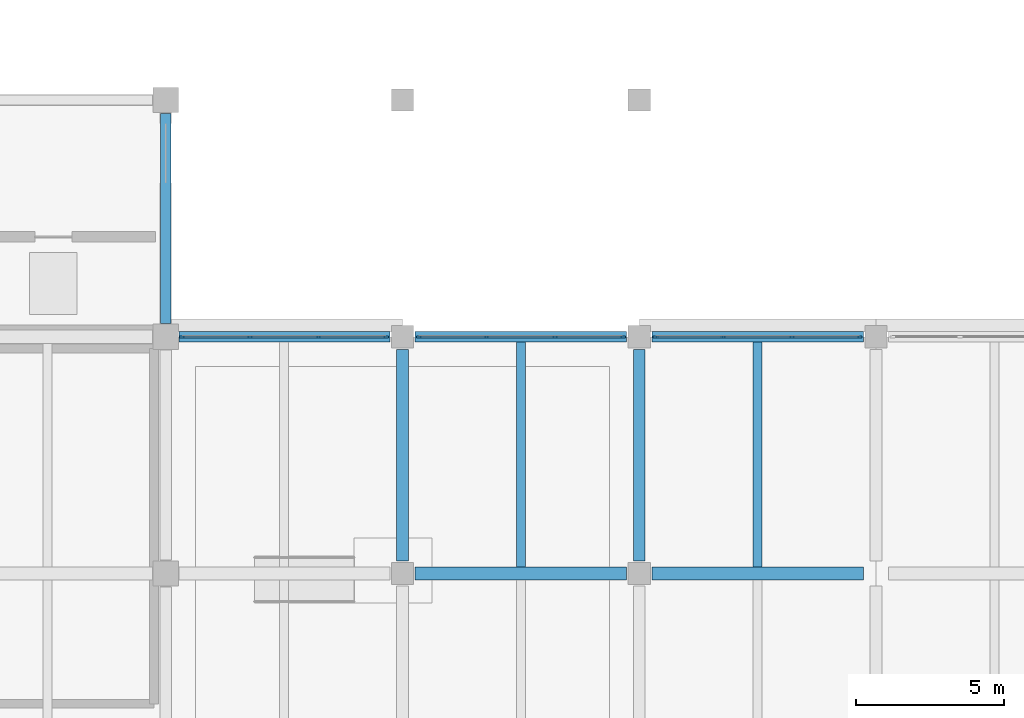
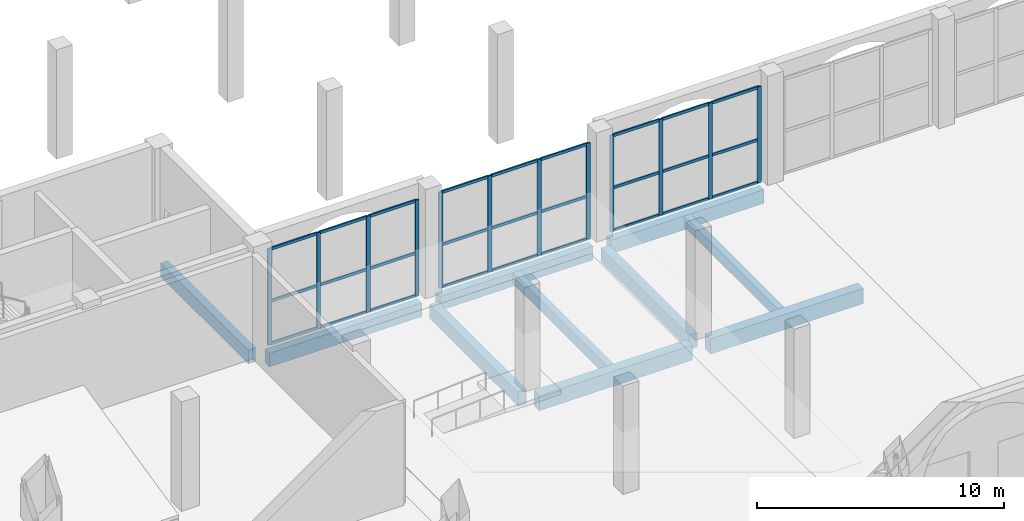
# One storey, part 3 of 40: 39 members, 10 beams, 3 elements without a shape of their own.
"""IFC4 building model written with IfcOpenShell, lengths in metres."""

from ifc_helpers import new_model, si_unit, direction, frame, origin, origin_2d, place, context, subcontext, project, spatial, rectangle, extrude, material, layer, layer_set, material_profile, profile_set, type_object, element, aggregate, save


model = new_model("IFC4")

# Units and contexts
model_context = context("Model", 3, precision=1e-05, world=origin(), true_north=direction((0.0, 1.0)))
body_context = subcontext(model_context, "Body", "Model", "MODEL_VIEW")
ifc_project = project(units=[si_unit("LENGTHUNIT", "METRE"), si_unit("AREAUNIT", "SQUARE_METRE"), si_unit("VOLUMEUNIT", "CUBIC_METRE"), si_unit("PLANEANGLEUNIT", "RADIAN"), si_unit("MASSUNIT", "GRAM", prefix="KILO")], contexts=[model_context])

# Site, building, storey
site_placement = place(None, origin())
site = spatial("IfcSite", under=ifc_project, at=site_placement, CompositionType="ELEMENT")
building_placement = place(site_placement, origin())
building = spatial("IfcBuilding", under=site, at=building_placement, Name="Qorikala Patio Media Centre", CompositionType="ELEMENT")
storey_placement = place(building_placement, origin())
storey = spatial("IfcBuildingStorey", under=building, at=storey_placement, Name="L00", CompositionType="ELEMENT", Elevation=0.0)

# Beams
ifc_material_1 = material(Name="Concrete C35/45", Category="concrete")
ifc_material_profile_1 = material_profile(ifc_material_1, rectangle(XDim=0.39990234375, YDim=0.699951171875, at=origin_2d()), Name="RC 400x700")
ifc_profile_set_1 = profile_set([ifc_material_profile_1], Name="Concrete C35/45")
beam_type_1 = type_object("IfcBeamType", Name="BM-G400X700", PredefinedType="BEAM", material=ifc_profile_set_1)
for number, where, z_axis, x_axis, name in (
    (1, (51.0, 19.425048828125, -0.64990234375), (0.0, 1.0, 0.0), (-1.0, 0.0, 0.0), "L00 Grid X=51 Beam 0229"),
    (2, (59.0, 19.425048828125, -0.64990234375), (0.0, 1.0, 0.0), (-1.0, 0.0, 0.0), "L00 Grid X=59 Beam 0239"),
):
    element("IfcBeam", number, at=place(storey_placement, frame(where, z_axis=z_axis, x_axis=x_axis)), inside=storey, type_object=beam_type_1, Name=name, PredefinedType="BEAM", context=body_context, shape_type="SweptSolid", body=[
        extrude(rectangle(XDim=0.39990234375, YDim=0.699951171875, at=origin_2d()), origin(), (0.0, 0.0, 1.0), 7.14990234375),
    ])
ifc_material_profile_2 = material_profile(ifc_material_1, rectangle(XDim=0.449951171875, YDim=0.75, at=origin_2d()), Name="RC 450x750")
ifc_profile_set_2 = profile_set([ifc_material_profile_2], Name="Concrete C35/45")
beam_type_2 = type_object("IfcBeamType", Name="BM-G450X750", PredefinedType="BEAM", material=ifc_profile_set_2)
for number, where, z_axis, x_axis, name in (
    (3, (51.425048828125, 19.0, -0.675048828125), (1.0, 0.0, 0.0), (0.0, 1.0, 0.0), "L00 Grid 19 Beam 0049"),
    (4, (59.425048828125, 19.0, -0.675048828125), (1.0, 0.0, 0.0), (0.0, 1.0, 0.0), "L00 Grid 19 Beam 0050"),
):
    element("IfcBeam", number, at=place(storey_placement, frame(where, z_axis=z_axis, x_axis=x_axis)), inside=storey, type_object=beam_type_2, Name=name, PredefinedType="BEAM", context=body_context, shape_type="SweptSolid", body=[
        extrude(rectangle(XDim=0.449951171875, YDim=0.75, at=origin_2d()), origin(), (0.0, 0.0, 1.0), 7.14990234375),
    ])

# Curtain wall, members
ifc_material_2 = material(Name="Bronze Anodised Aluminium and Low-E Glass", Category="aluminium")
ifc_layer = layer(ifc_material_2, 0.159912109375)
ifc_layer_set = layer_set([ifc_layer], Name="Bronze Anodised Aluminium and Low-E Glass")
curtain_wall_type = type_object("IfcCurtainWallType", Name="CW-PAT-696X475", PredefinedType="USERDEFINED", material=ifc_layer_set)
curtain_wall_1_placement = place(storey_placement, origin())
curtain_wall_1 = element("IfcCurtainWall", 5, at=curtain_wall_1_placement, inside=storey, type_object=curtain_wall_type, Name="L00 Courtyard Curtain Wall 001", ObjectType="COURTYARD CURTAIN WALL", PredefinedType="USERDEFINED")
ifc_material_3 = material(Name="Bronze Anodised Aluminium", Category="aluminium")
ifc_material_profile_3 = material_profile(ifc_material_3, rectangle(XDim=0.070068359375, YDim=0.179931640625, at=origin_2d()), Name="ALU MULLION 70x180")
ifc_profile_set_3 = profile_set([ifc_material_profile_3], Name="Bronze Anodised Aluminium")
member_type_1 = type_object("IfcMemberType", Name="CWM-70X180", PredefinedType="MULLION", material=ifc_profile_set_3)
member_1_placement = place(storey_placement, frame((43.554931640625, 27.0, 0.0), z_axis=(0.0, 0.0, 1.0), x_axis=(0.0, 1.0, 0.0)))
member_1 = element("IfcMember", 6, at=member_1_placement, type_object=member_type_1, Name="CWP696475 mullion 1", PredefinedType="MULLION", context=body_context, shape_type="SweptSolid", body=[
    extrude(rectangle(XDim=0.070068359375, YDim=0.179931640625, at=origin_2d()), origin(), (0.0, 0.0, 1.0), 4.75),
])
member_2_placement = place(storey_placement, frame((45.840087890625, 27.0, 0.0), z_axis=(0.0, 0.0, 1.0), x_axis=(0.0, 1.0, 0.0)))
member_2 = element("IfcMember", 7, at=member_2_placement, type_object=member_type_1, Name="CWP696475 mullion 2", PredefinedType="MULLION", context=body_context, shape_type="SweptSolid", body=[
    extrude(rectangle(XDim=0.070068359375, YDim=0.179931640625, at=origin_2d()), origin(), (0.0, 0.0, 1.0), 4.75),
])
member_3_placement = place(storey_placement, frame((48.159912109375, 27.0, 0.0), z_axis=(0.0, 0.0, 1.0), x_axis=(0.0, 1.0, 0.0)))
member_3 = element("IfcMember", 8, at=member_3_placement, type_object=member_type_1, Name="CWP696475 mullion 3", PredefinedType="MULLION", context=body_context, shape_type="SweptSolid", body=[
    extrude(rectangle(XDim=0.070068359375, YDim=0.179931640625, at=origin_2d()), origin(), (0.0, 0.0, 1.0), 4.75),
])
member_4_placement = place(storey_placement, frame((50.445068359375, 27.0, 0.0), z_axis=(0.0, 0.0, 1.0), x_axis=(0.0, 1.0, 0.0)))
member_4 = element("IfcMember", 9, at=member_4_placement, type_object=member_type_1, Name="CWP696475 mullion 4", PredefinedType="MULLION", context=body_context, shape_type="SweptSolid", body=[
    extrude(rectangle(XDim=0.070068359375, YDim=0.179931640625, at=origin_2d()), origin(), (0.0, 0.0, 1.0), 4.75),
])

curtain_wall_2_placement = place(storey_placement, origin())
curtain_wall_2 = element("IfcCurtainWall", 10, at=curtain_wall_2_placement, inside=storey, type_object=curtain_wall_type, Name="L00 Courtyard Curtain Wall 002", ObjectType="COURTYARD CURTAIN WALL", PredefinedType="USERDEFINED")
member_5_placement = place(storey_placement, frame((51.554931640625, 27.0, 0.0), z_axis=(0.0, 0.0, 1.0), x_axis=(0.0, 1.0, 0.0)))
member_5 = element("IfcMember", 11, at=member_5_placement, type_object=member_type_1, Name="CWP696475 mullion 1", PredefinedType="MULLION", context=body_context, shape_type="SweptSolid", body=[
    extrude(rectangle(XDim=0.070068359375, YDim=0.179931640625, at=origin_2d()), origin(), (0.0, 0.0, 1.0), 4.75),
])
member_6_placement = place(storey_placement, frame((53.840087890625, 27.0, 0.0), z_axis=(0.0, 0.0, 1.0), x_axis=(0.0, 1.0, 0.0)))
member_6 = element("IfcMember", 12, at=member_6_placement, type_object=member_type_1, Name="CWP696475 mullion 2", PredefinedType="MULLION", context=body_context, shape_type="SweptSolid", body=[
    extrude(rectangle(XDim=0.070068359375, YDim=0.179931640625, at=origin_2d()), origin(), (0.0, 0.0, 1.0), 4.75),
])
member_7_placement = place(storey_placement, frame((56.159912109375, 27.0, 0.0), z_axis=(0.0, 0.0, 1.0), x_axis=(0.0, 1.0, 0.0)))
member_7 = element("IfcMember", 13, at=member_7_placement, type_object=member_type_1, Name="CWP696475 mullion 3", PredefinedType="MULLION", context=body_context, shape_type="SweptSolid", body=[
    extrude(rectangle(XDim=0.070068359375, YDim=0.179931640625, at=origin_2d()), origin(), (0.0, 0.0, 1.0), 4.75),
])
member_8_placement = place(storey_placement, frame((58.445068359375, 27.0, 0.0), z_axis=(0.0, 0.0, 1.0), x_axis=(0.0, 1.0, 0.0)))
member_8 = element("IfcMember", 14, at=member_8_placement, type_object=member_type_1, Name="CWP696475 mullion 4", PredefinedType="MULLION", context=body_context, shape_type="SweptSolid", body=[
    extrude(rectangle(XDim=0.070068359375, YDim=0.179931640625, at=origin_2d()), origin(), (0.0, 0.0, 1.0), 4.75),
])

curtain_wall_3_placement = place(storey_placement, origin())
curtain_wall_3 = element("IfcCurtainWall", 15, at=curtain_wall_3_placement, inside=storey, type_object=curtain_wall_type, Name="L00 Courtyard Curtain Wall 003", ObjectType="COURTYARD CURTAIN WALL", PredefinedType="USERDEFINED")
member_9_placement = place(storey_placement, frame((59.554931640625, 27.0, 0.0), z_axis=(0.0, 0.0, 1.0), x_axis=(0.0, 1.0, 0.0)))
member_9 = element("IfcMember", 16, at=member_9_placement, type_object=member_type_1, Name="CWP696475 mullion 1", PredefinedType="MULLION", context=body_context, shape_type="SweptSolid", body=[
    extrude(rectangle(XDim=0.070068359375, YDim=0.179931640625, at=origin_2d()), origin(), (0.0, 0.0, 1.0), 4.75),
])
member_10_placement = place(storey_placement, frame((61.840087890625, 27.0, 0.0), z_axis=(0.0, 0.0, 1.0), x_axis=(0.0, 1.0, 0.0)))
member_10 = element("IfcMember", 17, at=member_10_placement, type_object=member_type_1, Name="CWP696475 mullion 2", PredefinedType="MULLION", context=body_context, shape_type="SweptSolid", body=[
    extrude(rectangle(XDim=0.070068359375, YDim=0.179931640625, at=origin_2d()), origin(), (0.0, 0.0, 1.0), 4.75),
])
member_11_placement = place(storey_placement, frame((64.159912109375, 27.0, 0.0), z_axis=(0.0, 0.0, 1.0), x_axis=(0.0, 1.0, 0.0)))
member_11 = element("IfcMember", 18, at=member_11_placement, type_object=member_type_1, Name="CWP696475 mullion 3", PredefinedType="MULLION", context=body_context, shape_type="SweptSolid", body=[
    extrude(rectangle(XDim=0.070068359375, YDim=0.179931640625, at=origin_2d()), origin(), (0.0, 0.0, 1.0), 4.75),
])
member_12_placement = place(storey_placement, frame((66.445068359375, 27.0, 0.0), z_axis=(0.0, 0.0, 1.0), x_axis=(0.0, 1.0, 0.0)))
member_12 = element("IfcMember", 19, at=member_12_placement, type_object=member_type_1, Name="CWP696475 mullion 4", PredefinedType="MULLION", context=body_context, shape_type="SweptSolid", body=[
    extrude(rectangle(XDim=0.070068359375, YDim=0.179931640625, at=origin_2d()), origin(), (0.0, 0.0, 1.0), 4.75),
])

# Member
ifc_material_profile_4 = material_profile(ifc_material_3, rectangle(XDim=0.070068359375, YDim=0.139892578125, at=origin_2d()), Name="ALU TRANSOM 70x140")
ifc_profile_set_4 = profile_set([ifc_material_profile_4], Name="Bronze Anodised Aluminium")
member_type_2 = type_object("IfcMemberType", Name="CWT-70X140", PredefinedType="USERDEFINED", material=ifc_profile_set_4)
member_13_placement = place(storey_placement, frame((43.590087890625, 27.0, 0.034912109375), z_axis=(1.0, 0.0, 0.0), x_axis=(0.0, 1.0, 0.0)))
member_13 = element("IfcMember", 20, at=member_13_placement, type_object=member_type_2, Name="CWP696475 transom 1.1", ObjectType="TRANSOM", PredefinedType="USERDEFINED", context=body_context, shape_type="SweptSolid", body=[
    extrude(rectangle(XDim=0.070068359375, YDim=0.139892578125, at=origin_2d()), origin(), (0.0, 0.0, 1.0), 2.21484375),
])

member_14_placement = place(storey_placement, frame((43.590087890625, 27.0, 2.137451171875), z_axis=(1.0, 0.0, 0.0), x_axis=(0.0, 1.0, 0.0)))
member_14 = element("IfcMember", 21, at=member_14_placement, type_object=member_type_2, Name="CWP696475 transom 1.2", ObjectType="TRANSOM", PredefinedType="USERDEFINED", context=body_context, shape_type="SweptSolid", body=[
    extrude(rectangle(XDim=0.070068359375, YDim=0.139892578125, at=origin_2d()), origin(), (0.0, 0.0, 1.0), 2.21484375),
])

member_15_placement = place(storey_placement, frame((43.590087890625, 27.0, 4.715087890625), z_axis=(1.0, 0.0, 0.0), x_axis=(0.0, 1.0, 0.0)))
member_15 = element("IfcMember", 22, at=member_15_placement, type_object=member_type_2, Name="CWP696475 transom 1.3", ObjectType="TRANSOM", PredefinedType="USERDEFINED", context=body_context, shape_type="SweptSolid", body=[
    extrude(rectangle(XDim=0.070068359375, YDim=0.139892578125, at=origin_2d()), origin(), (0.0, 0.0, 1.0), 2.21484375),
])

member_16_placement = place(storey_placement, frame((45.875, 27.0, 0.034912109375), z_axis=(1.0, 0.0, 0.0), x_axis=(0.0, 1.0, 0.0)))
member_16 = element("IfcMember", 23, at=member_16_placement, type_object=member_type_2, Name="CWP696475 transom 2.1", ObjectType="TRANSOM", PredefinedType="USERDEFINED", context=body_context, shape_type="SweptSolid", body=[
    extrude(rectangle(XDim=0.070068359375, YDim=0.139892578125, at=origin_2d()), origin(), (0.0, 0.0, 1.0), 2.25),
])

member_17_placement = place(storey_placement, frame((45.875, 27.0, 2.137451171875), z_axis=(1.0, 0.0, 0.0), x_axis=(0.0, 1.0, 0.0)))
member_17 = element("IfcMember", 24, at=member_17_placement, type_object=member_type_2, Name="CWP696475 transom 2.2", ObjectType="TRANSOM", PredefinedType="USERDEFINED", context=body_context, shape_type="SweptSolid", body=[
    extrude(rectangle(XDim=0.070068359375, YDim=0.139892578125, at=origin_2d()), origin(), (0.0, 0.0, 1.0), 2.25),
])

member_18_placement = place(storey_placement, frame((45.875, 27.0, 4.715087890625), z_axis=(1.0, 0.0, 0.0), x_axis=(0.0, 1.0, 0.0)))
member_18 = element("IfcMember", 25, at=member_18_placement, type_object=member_type_2, Name="CWP696475 transom 2.3", ObjectType="TRANSOM", PredefinedType="USERDEFINED", context=body_context, shape_type="SweptSolid", body=[
    extrude(rectangle(XDim=0.070068359375, YDim=0.139892578125, at=origin_2d()), origin(), (0.0, 0.0, 1.0), 2.25),
])

member_19_placement = place(storey_placement, frame((48.195068359375, 27.0, 0.034912109375), z_axis=(1.0, 0.0, 0.0), x_axis=(0.0, 1.0, 0.0)))
member_19 = element("IfcMember", 26, at=member_19_placement, type_object=member_type_2, Name="CWP696475 transom 3.1", ObjectType="TRANSOM", PredefinedType="USERDEFINED", context=body_context, shape_type="SweptSolid", body=[
    extrude(rectangle(XDim=0.070068359375, YDim=0.139892578125, at=origin_2d()), origin(), (0.0, 0.0, 1.0), 2.21484375),
])

member_20_placement = place(storey_placement, frame((48.195068359375, 27.0, 2.137451171875), z_axis=(1.0, 0.0, 0.0), x_axis=(0.0, 1.0, 0.0)))
member_20 = element("IfcMember", 27, at=member_20_placement, type_object=member_type_2, Name="CWP696475 transom 3.2", ObjectType="TRANSOM", PredefinedType="USERDEFINED", context=body_context, shape_type="SweptSolid", body=[
    extrude(rectangle(XDim=0.070068359375, YDim=0.139892578125, at=origin_2d()), origin(), (0.0, 0.0, 1.0), 2.21484375),
])

member_21_placement = place(storey_placement, frame((48.195068359375, 27.0, 4.715087890625), z_axis=(1.0, 0.0, 0.0), x_axis=(0.0, 1.0, 0.0)))
member_21 = element("IfcMember", 28, at=member_21_placement, type_object=member_type_2, Name="CWP696475 transom 3.3", ObjectType="TRANSOM", PredefinedType="USERDEFINED", context=body_context, shape_type="SweptSolid", body=[
    extrude(rectangle(XDim=0.070068359375, YDim=0.139892578125, at=origin_2d()), origin(), (0.0, 0.0, 1.0), 2.21484375),
])

aggregate(curtain_wall_1, [member_1, member_2, member_3, member_4, member_13, member_14, member_15, member_16, member_17, member_18, member_19, member_20, member_21])

member_22_placement = place(storey_placement, frame((51.590087890625, 27.0, 0.034912109375), z_axis=(1.0, 0.0, 0.0), x_axis=(0.0, 1.0, 0.0)))
member_22 = element("IfcMember", 29, at=member_22_placement, type_object=member_type_2, Name="CWP696475 transom 1.1", ObjectType="TRANSOM", PredefinedType="USERDEFINED", context=body_context, shape_type="SweptSolid", body=[
    extrude(rectangle(XDim=0.070068359375, YDim=0.139892578125, at=origin_2d()), origin(), (0.0, 0.0, 1.0), 2.21484375),
])

member_23_placement = place(storey_placement, frame((51.590087890625, 27.0, 2.137451171875), z_axis=(1.0, 0.0, 0.0), x_axis=(0.0, 1.0, 0.0)))
member_23 = element("IfcMember", 30, at=member_23_placement, type_object=member_type_2, Name="CWP696475 transom 1.2", ObjectType="TRANSOM", PredefinedType="USERDEFINED", context=body_context, shape_type="SweptSolid", body=[
    extrude(rectangle(XDim=0.070068359375, YDim=0.139892578125, at=origin_2d()), origin(), (0.0, 0.0, 1.0), 2.21484375),
])

member_24_placement = place(storey_placement, frame((51.590087890625, 27.0, 4.715087890625), z_axis=(1.0, 0.0, 0.0), x_axis=(0.0, 1.0, 0.0)))
member_24 = element("IfcMember", 31, at=member_24_placement, type_object=member_type_2, Name="CWP696475 transom 1.3", ObjectType="TRANSOM", PredefinedType="USERDEFINED", context=body_context, shape_type="SweptSolid", body=[
    extrude(rectangle(XDim=0.070068359375, YDim=0.139892578125, at=origin_2d()), origin(), (0.0, 0.0, 1.0), 2.21484375),
])

member_25_placement = place(storey_placement, frame((53.875, 27.0, 0.034912109375), z_axis=(1.0, 0.0, 0.0), x_axis=(0.0, 1.0, 0.0)))
member_25 = element("IfcMember", 32, at=member_25_placement, type_object=member_type_2, Name="CWP696475 transom 2.1", ObjectType="TRANSOM", PredefinedType="USERDEFINED", context=body_context, shape_type="SweptSolid", body=[
    extrude(rectangle(XDim=0.070068359375, YDim=0.139892578125, at=origin_2d()), origin(), (0.0, 0.0, 1.0), 2.25),
])

member_26_placement = place(storey_placement, frame((53.875, 27.0, 2.137451171875), z_axis=(1.0, 0.0, 0.0), x_axis=(0.0, 1.0, 0.0)))
member_26 = element("IfcMember", 33, at=member_26_placement, type_object=member_type_2, Name="CWP696475 transom 2.2", ObjectType="TRANSOM", PredefinedType="USERDEFINED", context=body_context, shape_type="SweptSolid", body=[
    extrude(rectangle(XDim=0.070068359375, YDim=0.139892578125, at=origin_2d()), origin(), (0.0, 0.0, 1.0), 2.25),
])

member_27_placement = place(storey_placement, frame((53.875, 27.0, 4.715087890625), z_axis=(1.0, 0.0, 0.0), x_axis=(0.0, 1.0, 0.0)))
member_27 = element("IfcMember", 34, at=member_27_placement, type_object=member_type_2, Name="CWP696475 transom 2.3", ObjectType="TRANSOM", PredefinedType="USERDEFINED", context=body_context, shape_type="SweptSolid", body=[
    extrude(rectangle(XDim=0.070068359375, YDim=0.139892578125, at=origin_2d()), origin(), (0.0, 0.0, 1.0), 2.25),
])

member_28_placement = place(storey_placement, frame((56.195068359375, 27.0, 0.034912109375), z_axis=(1.0, 0.0, 0.0), x_axis=(0.0, 1.0, 0.0)))
member_28 = element("IfcMember", 35, at=member_28_placement, type_object=member_type_2, Name="CWP696475 transom 3.1", ObjectType="TRANSOM", PredefinedType="USERDEFINED", context=body_context, shape_type="SweptSolid", body=[
    extrude(rectangle(XDim=0.070068359375, YDim=0.139892578125, at=origin_2d()), origin(), (0.0, 0.0, 1.0), 2.21484375),
])

member_29_placement = place(storey_placement, frame((56.195068359375, 27.0, 2.137451171875), z_axis=(1.0, 0.0, 0.0), x_axis=(0.0, 1.0, 0.0)))
member_29 = element("IfcMember", 36, at=member_29_placement, type_object=member_type_2, Name="CWP696475 transom 3.2", ObjectType="TRANSOM", PredefinedType="USERDEFINED", context=body_context, shape_type="SweptSolid", body=[
    extrude(rectangle(XDim=0.070068359375, YDim=0.139892578125, at=origin_2d()), origin(), (0.0, 0.0, 1.0), 2.21484375),
])

member_30_placement = place(storey_placement, frame((56.195068359375, 27.0, 4.715087890625), z_axis=(1.0, 0.0, 0.0), x_axis=(0.0, 1.0, 0.0)))
member_30 = element("IfcMember", 37, at=member_30_placement, type_object=member_type_2, Name="CWP696475 transom 3.3", ObjectType="TRANSOM", PredefinedType="USERDEFINED", context=body_context, shape_type="SweptSolid", body=[
    extrude(rectangle(XDim=0.070068359375, YDim=0.139892578125, at=origin_2d()), origin(), (0.0, 0.0, 1.0), 2.21484375),
])

aggregate(curtain_wall_2, [member_5, member_6, member_7, member_8, member_22, member_23, member_24, member_25, member_26, member_27, member_28, member_29, member_30])

member_31_placement = place(storey_placement, frame((59.590087890625, 27.0, 0.034912109375), z_axis=(1.0, 0.0, 0.0), x_axis=(0.0, 1.0, 0.0)))
member_31 = element("IfcMember", 38, at=member_31_placement, type_object=member_type_2, Name="CWP696475 transom 1.1", ObjectType="TRANSOM", PredefinedType="USERDEFINED", context=body_context, shape_type="SweptSolid", body=[
    extrude(rectangle(XDim=0.070068359375, YDim=0.139892578125, at=origin_2d()), origin(), (0.0, 0.0, 1.0), 2.21484375),
])

member_32_placement = place(storey_placement, frame((59.590087890625, 27.0, 2.137451171875), z_axis=(1.0, 0.0, 0.0), x_axis=(0.0, 1.0, 0.0)))
member_32 = element("IfcMember", 39, at=member_32_placement, type_object=member_type_2, Name="CWP696475 transom 1.2", ObjectType="TRANSOM", PredefinedType="USERDEFINED", context=body_context, shape_type="SweptSolid", body=[
    extrude(rectangle(XDim=0.070068359375, YDim=0.139892578125, at=origin_2d()), origin(), (0.0, 0.0, 1.0), 2.21484375),
])

member_33_placement = place(storey_placement, frame((59.590087890625, 27.0, 4.715087890625), z_axis=(1.0, 0.0, 0.0), x_axis=(0.0, 1.0, 0.0)))
member_33 = element("IfcMember", 40, at=member_33_placement, type_object=member_type_2, Name="CWP696475 transom 1.3", ObjectType="TRANSOM", PredefinedType="USERDEFINED", context=body_context, shape_type="SweptSolid", body=[
    extrude(rectangle(XDim=0.070068359375, YDim=0.139892578125, at=origin_2d()), origin(), (0.0, 0.0, 1.0), 2.21484375),
])

member_34_placement = place(storey_placement, frame((61.875, 27.0, 0.034912109375), z_axis=(1.0, 0.0, 0.0), x_axis=(0.0, 1.0, 0.0)))
member_34 = element("IfcMember", 41, at=member_34_placement, type_object=member_type_2, Name="CWP696475 transom 2.1", ObjectType="TRANSOM", PredefinedType="USERDEFINED", context=body_context, shape_type="SweptSolid", body=[
    extrude(rectangle(XDim=0.070068359375, YDim=0.139892578125, at=origin_2d()), origin(), (0.0, 0.0, 1.0), 2.25),
])

member_35_placement = place(storey_placement, frame((61.875, 27.0, 2.137451171875), z_axis=(1.0, 0.0, 0.0), x_axis=(0.0, 1.0, 0.0)))
member_35 = element("IfcMember", 42, at=member_35_placement, type_object=member_type_2, Name="CWP696475 transom 2.2", ObjectType="TRANSOM", PredefinedType="USERDEFINED", context=body_context, shape_type="SweptSolid", body=[
    extrude(rectangle(XDim=0.070068359375, YDim=0.139892578125, at=origin_2d()), origin(), (0.0, 0.0, 1.0), 2.25),
])

member_36_placement = place(storey_placement, frame((61.875, 27.0, 4.715087890625), z_axis=(1.0, 0.0, 0.0), x_axis=(0.0, 1.0, 0.0)))
member_36 = element("IfcMember", 43, at=member_36_placement, type_object=member_type_2, Name="CWP696475 transom 2.3", ObjectType="TRANSOM", PredefinedType="USERDEFINED", context=body_context, shape_type="SweptSolid", body=[
    extrude(rectangle(XDim=0.070068359375, YDim=0.139892578125, at=origin_2d()), origin(), (0.0, 0.0, 1.0), 2.25),
])

member_37_placement = place(storey_placement, frame((64.195068359375, 27.0, 0.034912109375), z_axis=(1.0, 0.0, 0.0), x_axis=(0.0, 1.0, 0.0)))
member_37 = element("IfcMember", 44, at=member_37_placement, type_object=member_type_2, Name="CWP696475 transom 3.1", ObjectType="TRANSOM", PredefinedType="USERDEFINED", context=body_context, shape_type="SweptSolid", body=[
    extrude(rectangle(XDim=0.070068359375, YDim=0.139892578125, at=origin_2d()), origin(), (0.0, 0.0, 1.0), 2.21484375),
])

member_38_placement = place(storey_placement, frame((64.195068359375, 27.0, 2.137451171875), z_axis=(1.0, 0.0, 0.0), x_axis=(0.0, 1.0, 0.0)))
member_38 = element("IfcMember", 45, at=member_38_placement, type_object=member_type_2, Name="CWP696475 transom 3.2", ObjectType="TRANSOM", PredefinedType="USERDEFINED", context=body_context, shape_type="SweptSolid", body=[
    extrude(rectangle(XDim=0.070068359375, YDim=0.139892578125, at=origin_2d()), origin(), (0.0, 0.0, 1.0), 2.21484375),
])

member_39_placement = place(storey_placement, frame((64.195068359375, 27.0, 4.715087890625), z_axis=(1.0, 0.0, 0.0), x_axis=(0.0, 1.0, 0.0)))
member_39 = element("IfcMember", 46, at=member_39_placement, type_object=member_type_2, Name="CWP696475 transom 3.3", ObjectType="TRANSOM", PredefinedType="USERDEFINED", context=body_context, shape_type="SweptSolid", body=[
    extrude(rectangle(XDim=0.070068359375, YDim=0.139892578125, at=origin_2d()), origin(), (0.0, 0.0, 1.0), 2.21484375),
])

aggregate(curtain_wall_3, [member_9, member_10, member_11, member_12, member_31, member_32, member_33, member_34, member_35, member_36, member_37, member_38, member_39])

# Beams
ifc_material_profile_5 = material_profile(ifc_material_1, rectangle(XDim=0.300048828125, YDim=0.550048828125, at=origin_2d()), Name="RC 300x550")
ifc_profile_set_5 = profile_set([ifc_material_profile_5], Name="Concrete C35/45")
beam_type_3 = type_object("IfcBeamType", Name="JS-300X550", PredefinedType="JOIST", material=ifc_profile_set_5)
for number, where, z_axis, x_axis, name in (
    (47, (55.0, 19.22509765625, -0.574951171875), (0.0, 1.0, 0.0), (-1.0, 0.0, 0.0), "L00 Secondary Joist 0347"),
    (48, (63.0, 19.22509765625, -0.574951171875), (0.0, 1.0, 0.0), (-1.0, 0.0, 0.0), "L00 Secondary Joist 0355"),
):
    element("IfcBeam", number, at=place(storey_placement, frame(where, z_axis=z_axis, x_axis=x_axis)), inside=storey, type_object=beam_type_3, Name=name, PredefinedType="JOIST", context=body_context, shape_type="SweptSolid", body=[
        extrude(rectangle(XDim=0.300048828125, YDim=0.550048828125, at=origin_2d()), origin(), (0.0, 0.0, 1.0), 7.599853515625),
    ])
ifc_material_profile_6 = material_profile(ifc_material_1, rectangle(XDim=0.35009765625, YDim=0.679931640625, at=origin_2d()), Name="RC 350x680")
ifc_profile_set_6 = profile_set([ifc_material_profile_6], Name="Concrete C35/45")
beam_type_4 = type_object("IfcBeamType", Name="SP-350X680", PredefinedType="SPANDREL", material=ifc_profile_set_6)
beam_1_placement = place(storey_placement, frame((43.449951171875, 27.0, -0.639892578125), z_axis=(1.0, 0.0, 0.0), x_axis=(0.0, 1.0, 0.0)))
element("IfcBeam", 49, at=beam_1_placement, inside=storey, type_object=beam_type_4, Name="L00 Grid 27 Beam 0069", PredefinedType="SPANDREL", context=body_context, shape_type="SweptSolid", body=[
    extrude(rectangle(XDim=0.35009765625, YDim=0.679931640625, at=origin_2d()), origin(), (0.0, 0.0, 1.0), 7.125),
])
for number, where, z_axis, x_axis, name in (
    (50, (51.425048828125, 27.0, -0.639892578125), (1.0, 0.0, 0.0), (0.0, 1.0, 0.0), "L00 Grid 27 Beam 0070"),
    (51, (59.425048828125, 27.0, -0.639892578125), (1.0, 0.0, 0.0), (0.0, 1.0, 0.0), "L00 Grid 27 Beam 0071"),
):
    element("IfcBeam", number, at=place(storey_placement, frame(where, z_axis=z_axis, x_axis=x_axis)), inside=storey, type_object=beam_type_4, Name=name, PredefinedType="SPANDREL", context=body_context, shape_type="SweptSolid", body=[
        extrude(rectangle(XDim=0.35009765625, YDim=0.679931640625, at=origin_2d()), origin(), (0.0, 0.0, 1.0), 7.14990234375),
    ])
beam_2_placement = place(storey_placement, frame((43.0, 27.449951171875, -0.639892578125), z_axis=(0.0, 1.0, 0.0), x_axis=(-1.0, 0.0, 0.0)))
element("IfcBeam", 52, at=beam_2_placement, inside=storey, type_object=beam_type_4, Name="L00 Grid X=43 Beam 0225", PredefinedType="SPANDREL", context=body_context, shape_type="SweptSolid", body=[
    extrude(rectangle(XDim=0.35009765625, YDim=0.679931640625, at=origin_2d()), origin(), (0.0, 0.0, 1.0), 7.10009765625),
])

save(model, "model.ifc")
